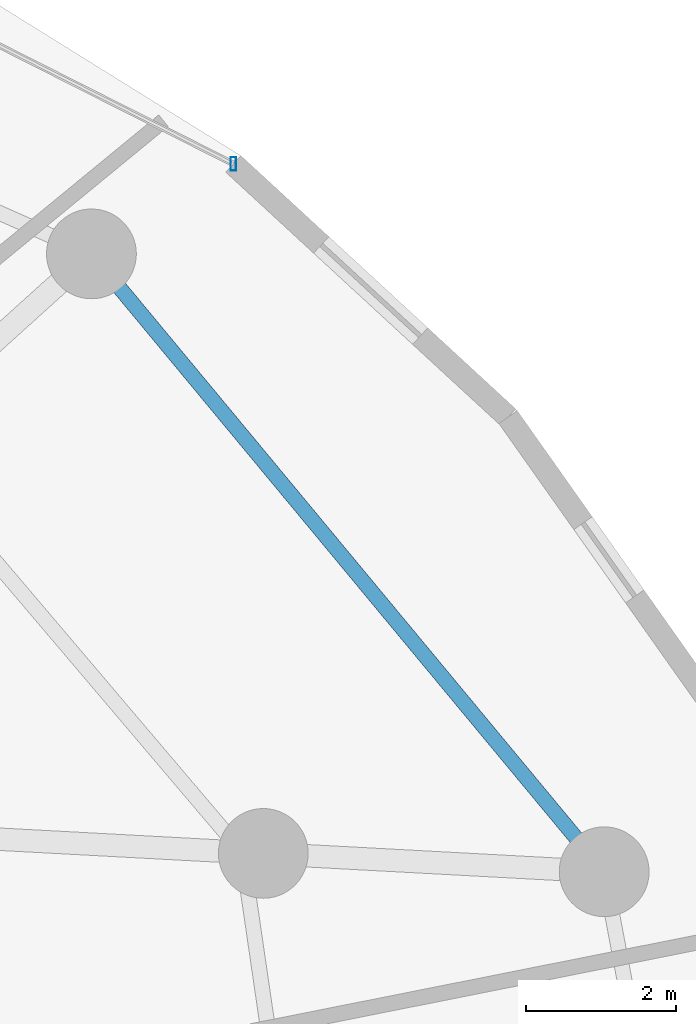
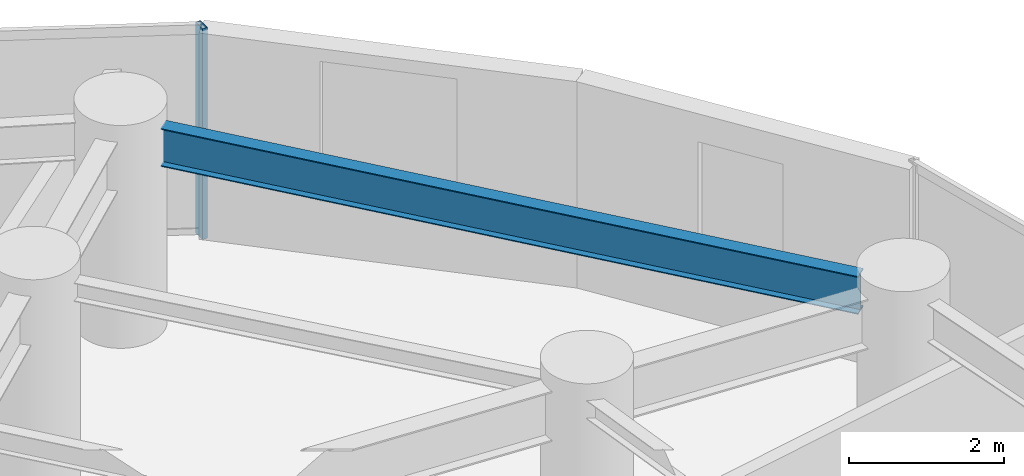
# One storey, part 24 of 34: 1 beam, 1 member, 1 element without a shape of its own.
"""IFC4 building model written with IfcOpenShell, lengths in metres."""

import ifcopenshell
import ifcopenshell.guid

model = None  # the IFC model being written
_history = None  # IfcOwnerHistory: only IFC2X3 demands one
_inside = {}  # id of a spatial element -> (the spatial element, [elements in it])
_under = {}  # id of a project, library or spatial element -> (it, [spatial elements below it])
_declared = {}  # id of a project -> (the project, [libraries it declares])
_typed = {}  # id of a type object -> (the type object, [elements of that type])
_made_of = {}  # id of a material, layer set ... -> (it, [elements and type objects made of it])


def new_model(schema):
    """Start an empty IFC model of exactly this schema.

    Asked for "IFC4X3", IfcOpenShell would pick the latest addendum, in which some entities
    have other attributes; the version numbers below select the first issue.
    IFC2X3 requires an IfcOwnerHistory on every rooted entity: one is made here for all.
    """
    global model, _history
    if schema == "IFC4X3":
        model = ifcopenshell.file(schema_version=(4, 3, 0, 0))
    else:
        model = ifcopenshell.file(schema=schema)
    _inside.clear()
    _under.clear()
    _declared.clear()
    _typed.clear()
    _made_of.clear()
    _history = None
    if model.schema == "IFC2X3":
        org = make("IfcOrganization", Name="unknown")
        user = make(
            "IfcPersonAndOrganization",
            ThePerson=make("IfcPerson", FamilyName="unknown"),
            TheOrganization=org,
        )
        app = make(
            "IfcApplication",
            ApplicationDeveloper=org,
            Version="unknown",
            ApplicationFullName="unknown",
            ApplicationIdentifier="unknown",
        )
        _history = make(
            "IfcOwnerHistory",
            OwningUser=user,
            OwningApplication=app,
            ChangeAction="ADDED",
            CreationDate=0,
        )
    return model


def make(cls, **values):
    """One entity of the class cls with the attributes given. An attribute that is None is left unset."""
    return model.create_entity(
        cls, **{name: value for name, value in values.items() if value is not None}
    )


def rooted(cls, **values):
    """An entity with a GlobalId (a new one), such as an element, a storey or a relation."""
    return make(cls, GlobalId=ifcopenshell.guid.new(), OwnerHistory=_history, **values)


def si_unit(unit_type, name, prefix=None):
    """IfcSIUnit, for example si_unit("LENGTHUNIT", "METRE", prefix="MILLI")."""
    return make("IfcSIUnit", UnitType=unit_type, Prefix=prefix, Name=name)


def assignment(units):
    """IfcUnitAssignment: the units of a project."""
    return None if units is None else make("IfcUnitAssignment", Units=units)


def point(xyz):
    """IfcCartesianPoint."""
    return None if xyz is None else make("IfcCartesianPoint", Coordinates=xyz)


def direction(xyz):
    """IfcDirection."""
    return None if xyz is None else make("IfcDirection", DirectionRatios=xyz)


def frame(location, z_axis=None, x_axis=None):
    """IfcAxis2Placement3D, a coordinate frame: its origin and axes. An axis left out is left unset."""
    return make(
        "IfcAxis2Placement3D",
        Location=point(location),
        Axis=direction(z_axis),
        RefDirection=direction(x_axis),
    )


def frame_2d(location, x_axis=None):
    """IfcAxis2Placement2D, a coordinate frame in the plane: its origin and x axis."""
    return make(
        "IfcAxis2Placement2D", Location=point(location), RefDirection=direction(x_axis)
    )


def origin():
    """The frame at (0, 0, 0) with its axes left unset."""
    return frame((0.0, 0.0, 0.0))


def origin_2d():
    """The frame at (0, 0) in the plane with its x axis left unset."""
    return frame_2d((0.0, 0.0))


def place(relative_to, where):
    """IfcLocalPlacement: puts the frame where relative to a parent placement (None: the world)."""
    return make(
        "IfcLocalPlacement", PlacementRelTo=relative_to, RelativePlacement=where
    )


def context(
    kind, dimensions, precision=None, world=None, true_north=None, identifier=None
):
    """IfcGeometricRepresentationContext, for example the 3D "Model" context."""
    return make(
        "IfcGeometricRepresentationContext",
        ContextIdentifier=identifier,
        ContextType=kind,
        CoordinateSpaceDimension=dimensions,
        Precision=precision,
        WorldCoordinateSystem=world,
        TrueNorth=true_north,
    )


def subcontext(parent, identifier, kind, view, scale=None):
    """IfcGeometricRepresentationSubContext, for example "Body" below "Model"."""
    return make(
        "IfcGeometricRepresentationSubContext",
        ContextIdentifier=identifier,
        ContextType=kind,
        ParentContext=parent,
        TargetScale=scale,
        TargetView=view,
    )


def project(units=None, contexts=None):
    """IfcProject with its units and contexts."""
    return rooted(
        "IfcProject",
        Name="project",
        RepresentationContexts=contexts,
        UnitsInContext=assignment(units),
    )


def spatial(cls, under=None, at=None, **own):
    """A site, building, storey or space (cls), placed at a placement, below another one or the project."""
    s = rooted(cls, ObjectPlacement=at, **own)
    if under is not None:
        _under.setdefault(under.id(), (under, []))[1].append(s)
    return s


def profile(cls, at=None, kind="AREA", **sizes):
    """A parametric profile (cls). Its sizes go by their IFC names, for example OverallWidth=200.0."""
    return make(cls, ProfileType=kind, Position=at, **sizes)


def hollow_rectangle(**sizes):
    """IfcRectangleHollowProfileDef."""
    return profile("IfcRectangleHollowProfileDef", **sizes)


def i_section(**sizes):
    """IfcIShapeProfileDef."""
    return profile("IfcIShapeProfileDef", **sizes)


def extrude(swept, where, along, depth):
    """IfcExtrudedAreaSolid: the profile swept, set in the frame where, extruded along a direction by depth."""
    return make(
        "IfcExtrudedAreaSolid",
        SweptArea=swept,
        Position=where,
        ExtrudedDirection=direction(along),
        Depth=depth,
    )


def shape(context_of_items, identifier, shape_type, items):
    """IfcShapeRepresentation: the items that make up one representation, for example the "Body"."""
    return make(
        "IfcShapeRepresentation",
        ContextOfItems=context_of_items,
        RepresentationIdentifier=identifier,
        RepresentationType=shape_type,
        Items=items,
    )


def material(Name=None, Category=None):
    """IfcMaterial."""
    return make("IfcMaterial", Name=Name, Category=Category)


def material_profile(
    of_material, cross_section, Name=None, Category=None, Priority=None
):
    """IfcMaterialProfile: a cross section and its material."""
    return make(
        "IfcMaterialProfile",
        Name=Name,
        Material=of_material,
        Profile=cross_section,
        Priority=Priority,
        Category=Category,
    )


def profile_set(profiles, Name=None, composite=None):
    """IfcMaterialProfileSet."""
    return make(
        "IfcMaterialProfileSet",
        Name=Name,
        MaterialProfiles=profiles,
        CompositeProfile=composite,
    )


def made_of(thing, what):
    """Note that an element or type object is made of a material, layer set ...; save() writes the relation."""
    if what is not None:
        _made_of.setdefault(what.id(), (what, []))[1].append(thing)
    return thing


def type_object(cls, material=None, **own):
    """A type object (cls), such as IfcWallType, which elements share."""
    return made_of(rooted(cls, **own), material)


def element(
    cls,
    number,
    at=None,
    inside=None,
    cuts=None,
    type_object=None,
    material=None,
    context=None,
    identifier="Body",
    shape_type=None,
    held_by="IfcProductDefinitionShape",
    body=None,
    shapes=None,
    **own,
):
    """One element of the class cls, such as IfcWall. Its Tag is "e" and its number.

    at: its placement. inside: the storey or other place that contains it. cuts: it is an
    opening in that element (IfcRelVoidsElement). A single representation is given by context,
    identifier, shape_type and body (its items); several are given by shapes. held_by: the class
    of the entity that holds the representations. save() writes the other relations.
    """
    e = rooted(cls, Tag="e%d" % number, ObjectPlacement=at, **own)
    if body is not None:
        shapes = [shape(context, identifier, shape_type, body)]
    if shapes is not None:
        e.Representation = make(held_by, Representations=shapes)
    if inside is not None:
        _inside.setdefault(inside.id(), (inside, []))[1].append(e)
    if cuts is not None:
        rooted(
            "IfcRelVoidsElement", RelatingBuildingElement=cuts, RelatedOpeningElement=e
        )
    if type_object is not None:
        _typed.setdefault(type_object.id(), (type_object, []))[1].append(e)
    return made_of(e, material)


def aggregate(whole, parts):
    """IfcRelAggregates: a whole, such as a stair, and the parts it consists of."""
    return rooted("IfcRelAggregates", RelatingObject=whole, RelatedObjects=parts)


def save(model, path):
    """Write the relations noted so far, then the file.

    IfcRelAggregates (storeys below a building ...), IfcRelContainedInSpatialStructure (elements
    in a storey), IfcRelDefinesByType, IfcRelAssociatesMaterial and IfcRelDeclares: one each for
    every whole, place, type object, material and project.
    """
    for whole, parts in _under.values():
        aggregate(whole, parts)
    for where, things in _inside.values():
        rooted(
            "IfcRelContainedInSpatialStructure",
            RelatedElements=things,
            RelatingStructure=where,
        )
    for kind, things in _typed.values():
        rooted("IfcRelDefinesByType", RelatedObjects=things, RelatingType=kind)
    for what, things in _made_of.values():
        rooted("IfcRelAssociatesMaterial", RelatedObjects=things, RelatingMaterial=what)
    for by, libraries in _declared.values():
        rooted("IfcRelDeclares", RelatingContext=by, RelatedDefinitions=libraries)
    model.write(path)


model = new_model("IFC4")

# Units and contexts
model_context = context("Model", 3, precision=1e-05, world=origin(), true_north=direction((0.0, 1.0)))
body_context = subcontext(model_context, "Body", "Model", "MODEL_VIEW")
ifc_project = project(units=[si_unit("LENGTHUNIT", "METRE"), si_unit("AREAUNIT", "SQUARE_METRE"), si_unit("VOLUMEUNIT", "CUBIC_METRE"), si_unit("PLANEANGLEUNIT", "RADIAN"), si_unit("MASSUNIT", "GRAM", prefix="KILO")], contexts=[model_context])

# Site, building, storey
site_placement = place(None, origin())
site = spatial("IfcSite", under=ifc_project, at=site_placement, CompositionType="ELEMENT")
building_placement = place(site_placement, origin())
building = spatial("IfcBuilding", under=site, at=building_placement, Name="Vorneva Point Tower", CompositionType="ELEMENT")
storey_placement = place(building_placement, frame((0.0, 0.0, 62.5)))
storey = spatial("IfcBuildingStorey", under=building, at=storey_placement, Name="L16", CompositionType="ELEMENT", Elevation=62.5)

# Beam
ifc_material_1 = material(Name="Steel S355", Category="steel")
ifc_material_profile_1 = material_profile(ifc_material_1, i_section(OverallWidth=0.198974609375, OverallDepth=0.595947265625, WebThickness=0.010009765625, FlangeThickness=0.014892578125, at=origin_2d()), Name="60B1")
ifc_profile_set_1 = profile_set([ifc_material_profile_1], Name="Steel S355")
beam_type = type_object("IfcBeamType", Name="BM-SPN-60B1", PredefinedType="SPANDREL", material=ifc_profile_set_1)
beam_placement = place(storey_placement, frame((63.48095703125, 32.786865234375, 2.94189453125), z_axis=(-0.63859176117, 0.769545685821, 0.0), x_axis=(-0.769545685821, -0.63859176117, 0.0)))
element("IfcBeam", 1, at=beam_placement, inside=storey, type_object=beam_type, Name="L16 Perimeter Spandrel Ring Beam 02", PredefinedType="SPANDREL", context=body_context, shape_type="SweptSolid", body=[
    extrude(i_section(OverallWidth=0.198974609375, OverallDepth=0.595947265625, WebThickness=0.010009765625, FlangeThickness=0.014892578125, at=origin_2d()), origin(), (0.0, 0.0, 1.0), 9.567626953125),
])

# Curtain wall, member
ifc_material_2 = material(Name="Pale anodised aluminium", Category="aluminium")
curtain_wall_type = type_object("IfcCurtainWallType", Name="CW-HTL-SYS", PredefinedType="NOTDEFINED", material=ifc_material_2)
curtain_wall_placement = place(storey_placement, origin())
curtain_wall = element("IfcCurtainWall", 2, at=curtain_wall_placement, inside=storey, type_object=curtain_wall_type, Name="L16 Unitised Curtain Wall CW-L16-R02", PredefinedType="NOTDEFINED")
ifc_material_profile_2 = material_profile(ifc_material_2, hollow_rectangle(XDim=0.074951171875, YDim=0.179931640625, WallThickness=0.00390625, at=origin_2d()), Name="AL-MUL 180x75x4")
ifc_profile_set_2 = profile_set([ifc_material_profile_2], Name="Pale anodised aluminium")
member_type = type_object("IfcMemberType", Name="CW-MUL-180", PredefinedType="MULLION", material=ifc_profile_set_2)
member_placement = place(storey_placement, frame((58.89501953125, 41.8037109375, -0.0400390625), z_axis=(0.0, 0.0, 1.0), x_axis=(1.0, 0.0, 0.0)))
member = element("IfcMember", 3, at=member_placement, type_object=member_type, Name="CW-L16-R02 Mullion 01", PredefinedType="MULLION", context=body_context, shape_type="SweptSolid", body=[
    extrude(hollow_rectangle(XDim=0.074951171875, YDim=0.179931640625, WallThickness=0.00390625, at=origin_2d()), origin(), (0.0, 0.0, 1.0), 3.31005859375),
])
aggregate(curtain_wall, [member])

save(model, "model.ifc")
